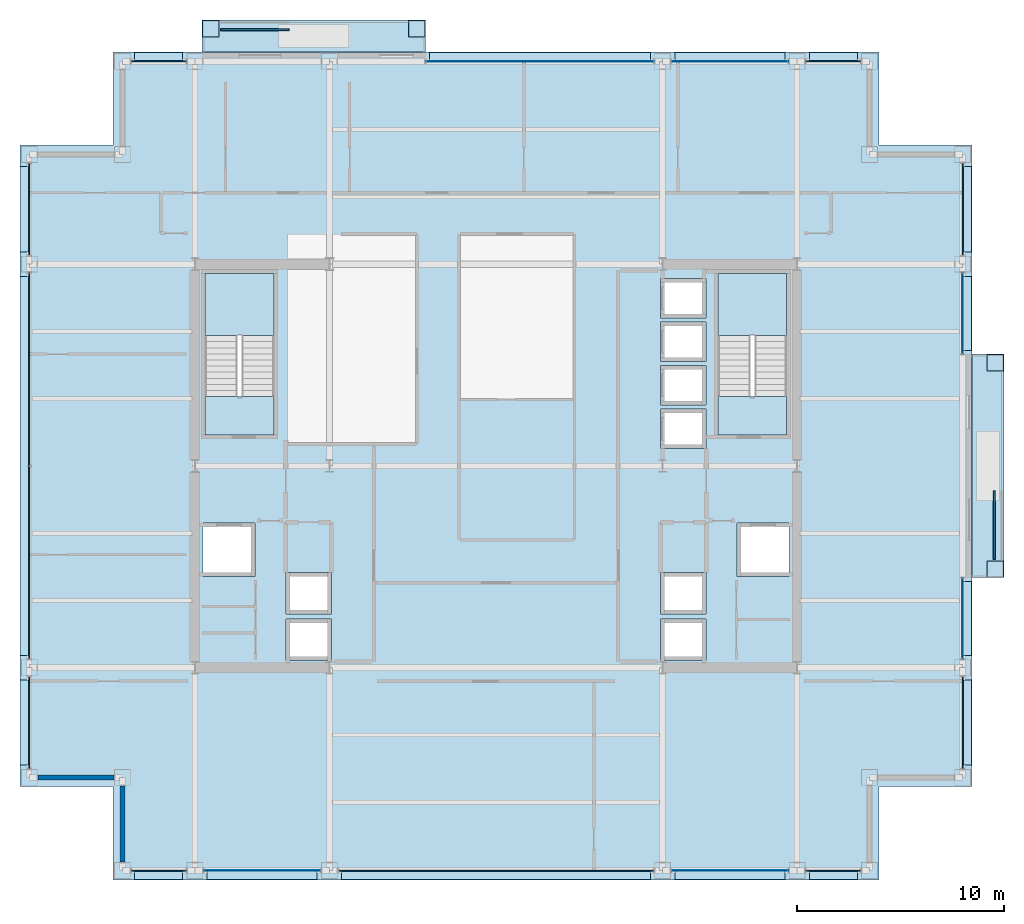
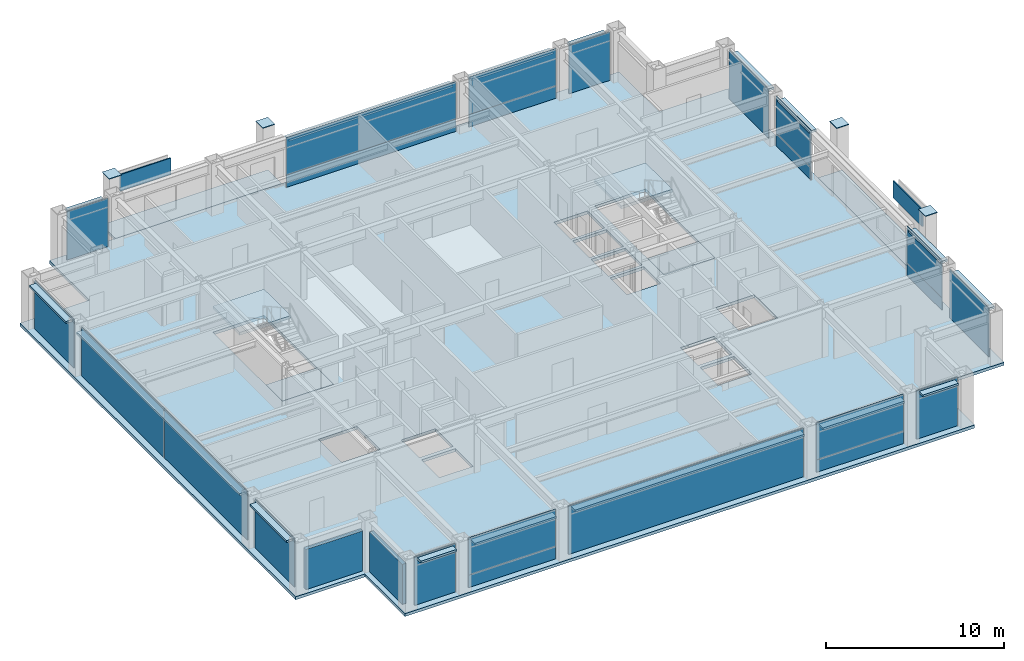
# One storey, part 23 of 29: 45 plates, 7 slabs, 2 walls, 18 elements without a shape of their own.
"""IFC4 building model written with IfcOpenShell, lengths in metres."""

from ifc_helpers import new_model, si_unit, direction, frame, frame_2d, origin, origin_2d, place, context, subcontext, project, spatial, polyline, rectangle, outline, extrude, material, layer, layer_set, type_object, element, aggregate, save


model = new_model("IFC4")

# Units and contexts
model_context = context("Model", 3, precision=1e-05, world=origin(), true_north=direction((0.0, 1.0)))
body_context = subcontext(model_context, "Body", "Model", "MODEL_VIEW")
ifc_project = project(units=[si_unit("LENGTHUNIT", "METRE"), si_unit("AREAUNIT", "SQUARE_METRE"), si_unit("VOLUMEUNIT", "CUBIC_METRE"), si_unit("PLANEANGLEUNIT", "RADIAN"), si_unit("MASSUNIT", "GRAM", prefix="KILO")], contexts=[model_context])

# Site, building, storey
site_placement = place(None, origin())
site = spatial("IfcSite", under=ifc_project, at=site_placement, CompositionType="ELEMENT")
building_placement = place(site_placement, origin())
building = spatial("IfcBuilding", under=site, at=building_placement, Name="Brelmoor Portico Tower", CompositionType="ELEMENT")
storey_placement = place(building_placement, frame((0.0, 0.0, 135.0)))
storey = spatial("IfcBuildingStorey", under=building, at=storey_placement, Name="L35", CompositionType="ELEMENT", Elevation=135.0)

# Plates
ifc_material_1 = material(Name="Steel Q355B", Category="steel")
ifc_layer_1 = layer(ifc_material_1, 0.044921875)
ifc_layer_set_1 = layer_set([ifc_layer_1], Name="Steel Q355B")
plate_type_1 = type_object("IfcPlateType", Name="PT-CAP-650", PredefinedType="SHEET", material=ifc_layer_set_1)
for number, where, z_axis, x_axis, name in (
    (1, (-13.780029296875, 21.1298828125, 3.60009765625), (0.0, 0.0, 1.0), (1.0, 0.0, 0.0), "L35 Proud Picture-Frame Pier PFJ-N1 Welded Head Cap Plate"),
    (2, (-3.820068359375, 21.1298828125, 3.60009765625), (0.0, 0.0, 1.0), (1.0, 0.0, 0.0), "L35 Proud Picture-Frame Pier PFJ-N2 Welded Head Cap Plate"),
    (3, (24.1298828125, -4.97998046875, 3.60009765625), (0.0, 0.0, 1.0), (0.0, 1.0, 0.0), "L35 Proud Picture-Frame Pier PFJ-E1 Welded Head Cap Plate"),
    (4, (24.1298828125, 4.97998046875, 3.60009765625), (0.0, 0.0, 1.0), (0.0, 1.0, 0.0), "L35 Proud Picture-Frame Pier PFJ-E2 Welded Head Cap Plate"),
):
    element("IfcPlate", number, at=place(storey_placement, frame(where, z_axis=z_axis, x_axis=x_axis)), inside=storey, type_object=plate_type_1, Name=name, PredefinedType="SHEET", context=body_context, shape_type="SweptSolid", body=[
        extrude(rectangle(XDim=0.7900390625, YDim=0.7900390625, at=origin_2d()), origin(), (0.0, 0.0, 1.0), 0.0400390625),
    ])

# Curtain wall, plate
ifc_material_2 = material(Name="Anodised Aluminium Alloy 6063-T6", Category="aluminium")
ifc_layer_2 = layer(ifc_material_2, 0.179931640625)
ifc_layer_set_2 = layer_set([ifc_layer_2], Name="Anodised Aluminium Alloy 6063-T6")
curtain_wall_type_1 = type_object("IfcCurtainWallType", Name="CW-TOWER-Z2", PredefinedType="NOTDEFINED", material=ifc_layer_set_2)
curtain_wall_1_placement = place(storey_placement, origin())
curtain_wall_1 = element("IfcCurtainWall", 5, at=curtain_wall_1_placement, inside=storey, type_object=curtain_wall_type_1, Name="L35 Curtain Wall CW-L35-01-2", PredefinedType="NOTDEFINED")
ifc_material_3 = material(Name="Double-Silver Low-E Insulated Glazing", Category="glass")
ifc_layer_3 = layer(ifc_material_3, 0.035888671875)
ifc_layer_set_3 = layer_set([ifc_layer_3], Name="Double-Silver Low-E Insulated Glazing")
plate_type_2 = type_object("IfcPlateType", Name="PT-CW-GLASS", PredefinedType="CURTAIN_PANEL", material=ifc_layer_set_3)
plate_1_placement = place(storey_placement, frame((-11.300048828125, -19.550048828125, 0.85009765625), z_axis=(0.0, 0.0, 1.0), x_axis=(1.0, 0.0, 0.0)))
plate_1 = element("IfcPlate", 6, at=plate_1_placement, type_object=plate_type_2, Name="CW-L35-01-2 Vision Glass Panel 00", PredefinedType="CURTAIN_PANEL", context=body_context, shape_type="SweptSolid", body=[
    extrude(rectangle(XDim=5.64990234375, YDim=0.035888671875, at=origin_2d()), origin(), (0.0, 0.0, 1.0), 2.550048828125),
])

curtain_wall_2_placement = place(storey_placement, origin())
curtain_wall_2 = element("IfcCurtainWall", 7, at=curtain_wall_2_placement, inside=storey, type_object=curtain_wall_type_1, Name="L35 Curtain Wall CW-L35-01-4", PredefinedType="NOTDEFINED")
plate_2_placement = place(storey_placement, frame((11.300048828125, -19.550048828125, 0.85009765625), z_axis=(0.0, 0.0, 1.0), x_axis=(1.0, 0.0, 0.0)))
plate_2 = element("IfcPlate", 8, at=plate_2_placement, type_object=plate_type_2, Name="CW-L35-01-4 Vision Glass Panel 00", PredefinedType="CURTAIN_PANEL", context=body_context, shape_type="SweptSolid", body=[
    extrude(rectangle(XDim=5.64990234375, YDim=0.035888671875, at=origin_2d()), origin(), (0.0, 0.0, 1.0), 2.550048828125),
])

curtain_wall_3_placement = place(storey_placement, origin())
curtain_wall_3 = element("IfcCurtainWall", 9, at=curtain_wall_3_placement, inside=storey, type_object=curtain_wall_type_1, Name="L35 Curtain Wall CW-L35-2R-1", PredefinedType="NOTDEFINED")
plate_3_placement = place(storey_placement, frame((2.1201171875, 19.550048828125, 0.85009765625), z_axis=(0.0, 0.0, 1.0), x_axis=(1.0, 0.0, 0.0)))
plate_3 = element("IfcPlate", 10, at=plate_3_placement, type_object=plate_type_2, Name="CW-L35-2R-1 Vision Glass Panel 00", PredefinedType="CURTAIN_PANEL", context=body_context, shape_type="SweptSolid", body=[
    extrude(rectangle(XDim=11.010009765625, YDim=0.035888671875, at=origin_2d()), origin(), (0.0, 0.0, 1.0), 2.550048828125),
])

curtain_wall_4_placement = place(storey_placement, origin())
curtain_wall_4 = element("IfcCurtainWall", 11, at=curtain_wall_4_placement, inside=storey, type_object=curtain_wall_type_1, Name="L35 Curtain Wall CW-L35-2R-2", PredefinedType="NOTDEFINED")
plate_4_placement = place(storey_placement, frame((11.300048828125, 19.550048828125, 0.85009765625), z_axis=(0.0, 0.0, 1.0), x_axis=(1.0, 0.0, 0.0)))
plate_4 = element("IfcPlate", 12, at=plate_4_placement, type_object=plate_type_2, Name="CW-L35-2R-2 Vision Glass Panel 00", PredefinedType="CURTAIN_PANEL", context=body_context, shape_type="SweptSolid", body=[
    extrude(rectangle(XDim=5.64990234375, YDim=0.035888671875, at=origin_2d()), origin(), (0.0, 0.0, 1.0), 2.550048828125),
])

curtain_wall_5_placement = place(storey_placement, origin())
curtain_wall_5 = element("IfcCurtainWall", 13, at=curtain_wall_5_placement, inside=storey, type_object=curtain_wall_type_1, Name="L35 Curtain Wall CW-L35-4L-2", PredefinedType="NOTDEFINED")
plate_5_placement = place(storey_placement, frame((22.550048828125, -7.3701171875, 0.85009765625), z_axis=(0.0, 0.0, 1.0), x_axis=(0.0, 1.0, 0.0)))
plate_5 = element("IfcPlate", 14, at=plate_5_placement, type_object=plate_type_2, Name="CW-L35-4L-2 Vision Glass Panel 00", PredefinedType="CURTAIN_PANEL", context=body_context, shape_type="SweptSolid", body=[
    extrude(rectangle(XDim=3.909912109375, YDim=0.035888671875, at=origin_2d()), origin(), (0.0, 0.0, 1.0), 2.550048828125),
])

curtain_wall_6_placement = place(storey_placement, origin())
curtain_wall_6 = element("IfcCurtainWall", 15, at=curtain_wall_6_placement, inside=storey, type_object=curtain_wall_type_1, Name="L35 Curtain Wall CW-L35-4R-1", PredefinedType="NOTDEFINED")
plate_6_placement = place(storey_placement, frame((22.550048828125, 7.3701171875, 0.85009765625), z_axis=(0.0, 0.0, 1.0), x_axis=(0.0, 1.0, 0.0)))
plate_6 = element("IfcPlate", 16, at=plate_6_placement, type_object=plate_type_2, Name="CW-L35-4R-1 Vision Glass Panel 00", PredefinedType="CURTAIN_PANEL", context=body_context, shape_type="SweptSolid", body=[
    extrude(rectangle(XDim=3.909912109375, YDim=0.035888671875, at=origin_2d()), origin(), (0.0, 0.0, 1.0), 2.550048828125),
])

ifc_layer_4 = layer(ifc_material_2, 0.179931640625)
ifc_layer_set_4 = layer_set([ifc_layer_4], Name="Anodised Aluminium Alloy 6063-T6")
curtain_wall_type_2 = type_object("IfcCurtainWallType", Name="CW-TOWER-Z2-XB", PredefinedType="NOTDEFINED", material=ifc_layer_set_4)
curtain_wall_7_placement = place(storey_placement, origin())
curtain_wall_7 = element("IfcCurtainWall", 17, at=curtain_wall_7_placement, inside=storey, type_object=curtain_wall_type_2, Name="L35 Curtain Wall CW-L35-01-1", PredefinedType="NOTDEFINED")
ifc_material_4 = material(Name="Pale Champagne Anodised Aluminium Panel", Category="aluminium")
ifc_layer_5 = layer(ifc_material_4, 0.050048828125)
ifc_layer_set_5 = layer_set([ifc_layer_5], Name="Pale Champagne Anodised Aluminium Panel")
plate_type_3 = type_object("IfcPlateType", Name="PT-CW-SPANDREL", PredefinedType="SHEET", material=ifc_layer_set_5)
plate_7_placement = place(storey_placement, frame((-16.300048828125, -19.550048828125, 0.0), z_axis=(0.0, 0.0, 1.0), x_axis=(1.0, 0.0, 0.0)))
plate_7 = element("IfcPlate", 18, at=plate_7_placement, type_object=plate_type_3, Name="CW-L35-01-1 Spandrel Panel 00", PredefinedType="SHEET", context=body_context, shape_type="SweptSolid", body=[
    extrude(rectangle(XDim=2.64990234375, YDim=0.050048828125, at=origin_2d()), origin(), (0.0, 0.0, 1.0), 3.330078125),
])
aggregate(curtain_wall_7, [plate_7])

# Plate
plate_8_placement = place(storey_placement, frame((-11.300048828125, -19.550048828125, 0.0), z_axis=(0.0, 0.0, 1.0), x_axis=(1.0, 0.0, 0.0)))
plate_8 = element("IfcPlate", 19, at=plate_8_placement, type_object=plate_type_3, Name="CW-L35-01-2 Spandrel Panel 00", PredefinedType="SHEET", context=body_context, shape_type="SweptSolid", body=[
    extrude(rectangle(XDim=5.64990234375, YDim=0.050048828125, at=origin_2d()), origin(), (0.0, 0.0, 1.0), 0.85009765625),
])

aggregate(curtain_wall_1, [plate_8, plate_1])

# Curtain wall, plate
curtain_wall_8_placement = place(storey_placement, origin())
curtain_wall_8 = element("IfcCurtainWall", 20, at=curtain_wall_8_placement, inside=storey, type_object=curtain_wall_type_2, Name="L35 Curtain Wall CW-L35-01-3", PredefinedType="NOTDEFINED")
plate_9_placement = place(storey_placement, frame((0.0, -19.550048828125, 0.0), z_axis=(0.0, 0.0, 1.0), x_axis=(1.0, 0.0, 0.0)))
plate_9 = element("IfcPlate", 21, at=plate_9_placement, type_object=plate_type_3, Name="CW-L35-01-3 Spandrel Panel 00", PredefinedType="SHEET", context=body_context, shape_type="SweptSolid", body=[
    extrude(rectangle(XDim=15.25, YDim=0.050048828125, at=origin_2d()), origin(), (0.0, 0.0, 1.0), 3.330078125),
])
aggregate(curtain_wall_8, [plate_9])

# Plate
plate_10_placement = place(storey_placement, frame((11.300048828125, -19.550048828125, 0.0), z_axis=(0.0, 0.0, 1.0), x_axis=(1.0, 0.0, 0.0)))
plate_10 = element("IfcPlate", 22, at=plate_10_placement, type_object=plate_type_3, Name="CW-L35-01-4 Spandrel Panel 00", PredefinedType="SHEET", context=body_context, shape_type="SweptSolid", body=[
    extrude(rectangle(XDim=5.64990234375, YDim=0.050048828125, at=origin_2d()), origin(), (0.0, 0.0, 1.0), 0.85009765625),
])

aggregate(curtain_wall_2, [plate_10, plate_2])

# Curtain wall, plate
curtain_wall_9_placement = place(storey_placement, origin())
curtain_wall_9 = element("IfcCurtainWall", 23, at=curtain_wall_9_placement, inside=storey, type_object=curtain_wall_type_2, Name="L35 Curtain Wall CW-L35-01-5", PredefinedType="NOTDEFINED")
plate_11_placement = place(storey_placement, frame((16.300048828125, -19.550048828125, 0.0), z_axis=(0.0, 0.0, 1.0), x_axis=(1.0, 0.0, 0.0)))
plate_11 = element("IfcPlate", 24, at=plate_11_placement, type_object=plate_type_3, Name="CW-L35-01-5 Spandrel Panel 00", PredefinedType="SHEET", context=body_context, shape_type="SweptSolid", body=[
    extrude(rectangle(XDim=2.64990234375, YDim=0.050048828125, at=origin_2d()), origin(), (0.0, 0.0, 1.0), 3.330078125),
])
aggregate(curtain_wall_9, [plate_11])

curtain_wall_10_placement = place(storey_placement, origin())
curtain_wall_10 = element("IfcCurtainWall", 25, at=curtain_wall_10_placement, inside=storey, type_object=curtain_wall_type_2, Name="L35 Curtain Wall CW-L35-2L", PredefinedType="NOTDEFINED")
plate_12_placement = place(storey_placement, frame((-16.300048828125, 19.550048828125, 0.0), z_axis=(0.0, 0.0, 1.0), x_axis=(1.0, 0.0, 0.0)))
plate_12 = element("IfcPlate", 26, at=plate_12_placement, type_object=plate_type_3, Name="CW-L35-2L Spandrel Panel 00", PredefinedType="SHEET", context=body_context, shape_type="SweptSolid", body=[
    extrude(rectangle(XDim=2.64990234375, YDim=0.050048828125, at=origin_2d()), origin(), (0.0, 0.0, 1.0), 3.330078125),
])
aggregate(curtain_wall_10, [plate_12])

# Plate
plate_13_placement = place(storey_placement, frame((2.1201171875, 19.550048828125, 0.0), z_axis=(0.0, 0.0, 1.0), x_axis=(1.0, 0.0, 0.0)))
plate_13 = element("IfcPlate", 27, at=plate_13_placement, type_object=plate_type_3, Name="CW-L35-2R-1 Spandrel Panel 00", PredefinedType="SHEET", context=body_context, shape_type="SweptSolid", body=[
    extrude(rectangle(XDim=11.010009765625, YDim=0.050048828125, at=origin_2d()), origin(), (0.0, 0.0, 1.0), 0.85009765625),
])

aggregate(curtain_wall_3, [plate_13, plate_3])

plate_14_placement = place(storey_placement, frame((11.300048828125, 19.550048828125, 0.0), z_axis=(0.0, 0.0, 1.0), x_axis=(1.0, 0.0, 0.0)))
plate_14 = element("IfcPlate", 28, at=plate_14_placement, type_object=plate_type_3, Name="CW-L35-2R-2 Spandrel Panel 00", PredefinedType="SHEET", context=body_context, shape_type="SweptSolid", body=[
    extrude(rectangle(XDim=5.64990234375, YDim=0.050048828125, at=origin_2d()), origin(), (0.0, 0.0, 1.0), 0.85009765625),
])

aggregate(curtain_wall_4, [plate_14, plate_4])

# Curtain wall, plate
curtain_wall_11_placement = place(storey_placement, origin())
curtain_wall_11 = element("IfcCurtainWall", 29, at=curtain_wall_11_placement, inside=storey, type_object=curtain_wall_type_2, Name="L35 Curtain Wall CW-L35-2R-3", PredefinedType="NOTDEFINED")
plate_15_placement = place(storey_placement, frame((16.300048828125, 19.550048828125, 0.0), z_axis=(0.0, 0.0, 1.0), x_axis=(1.0, 0.0, 0.0)))
plate_15 = element("IfcPlate", 30, at=plate_15_placement, type_object=plate_type_3, Name="CW-L35-2R-3 Spandrel Panel 00", PredefinedType="SHEET", context=body_context, shape_type="SweptSolid", body=[
    extrude(rectangle(XDim=2.64990234375, YDim=0.050048828125, at=origin_2d()), origin(), (0.0, 0.0, 1.0), 3.330078125),
])
aggregate(curtain_wall_11, [plate_15])

curtain_wall_12_placement = place(storey_placement, origin())
curtain_wall_12 = element("IfcCurtainWall", 31, at=curtain_wall_12_placement, inside=storey, type_object=curtain_wall_type_2, Name="L35 Curtain Wall CW-L35-03-1", PredefinedType="NOTDEFINED")
plate_16_placement = place(storey_placement, frame((-22.550048828125, -12.39990234375, 0.0), z_axis=(0.0, 0.0, 1.0), x_axis=(0.0, 1.0, 0.0)))
plate_16 = element("IfcPlate", 32, at=plate_16_placement, type_object=plate_type_3, Name="CW-L35-03-1 Spandrel Panel 00", PredefinedType="SHEET", context=body_context, shape_type="SweptSolid", body=[
    extrude(rectangle(XDim=4.449951171875, YDim=0.050048828125, at=origin_2d()), origin(), (0.0, 0.0, 1.0), 3.330078125),
])
aggregate(curtain_wall_12, [plate_16])

# Curtain wall, plates
curtain_wall_13_placement = place(storey_placement, origin())
curtain_wall_13 = element("IfcCurtainWall", 33, at=curtain_wall_13_placement, inside=storey, type_object=curtain_wall_type_2, Name="L35 Curtain Wall CW-L35-03-2", PredefinedType="NOTDEFINED")
plate_17_placement = place(storey_placement, frame((-22.550048828125, -4.669921875, 0.0), z_axis=(0.0, 0.0, 1.0), x_axis=(0.0, 1.0, 0.0)))
plate_17 = element("IfcPlate", 34, at=plate_17_placement, type_object=plate_type_3, Name="CW-L35-03-2 Spandrel Panel 00", PredefinedType="SHEET", context=body_context, shape_type="SweptSolid", body=[
    extrude(rectangle(XDim=9.31005859375, YDim=0.050048828125, at=origin_2d()), origin(), (0.0, 0.0, 1.0), 3.330078125),
])
plate_18_placement = place(storey_placement, frame((-22.550048828125, 4.669921875, 0.0), z_axis=(0.0, 0.0, 1.0), x_axis=(0.0, 1.0, 0.0)))
plate_18 = element("IfcPlate", 35, at=plate_18_placement, type_object=plate_type_3, Name="CW-L35-03-2 Spandrel Panel 01", PredefinedType="SHEET", context=body_context, shape_type="SweptSolid", body=[
    extrude(rectangle(XDim=9.31005859375, YDim=0.050048828125, at=origin_2d()), origin(), (0.0, 0.0, 1.0), 3.330078125),
])
aggregate(curtain_wall_13, [plate_17, plate_18])

# Curtain wall, plate
curtain_wall_14_placement = place(storey_placement, origin())
curtain_wall_14 = element("IfcCurtainWall", 36, at=curtain_wall_14_placement, inside=storey, type_object=curtain_wall_type_2, Name="L35 Curtain Wall CW-L35-03-3", PredefinedType="NOTDEFINED")
plate_19_placement = place(storey_placement, frame((-22.550048828125, 12.39990234375, 0.0), z_axis=(0.0, 0.0, 1.0), x_axis=(0.0, 1.0, 0.0)))
plate_19 = element("IfcPlate", 37, at=plate_19_placement, type_object=plate_type_3, Name="CW-L35-03-3 Spandrel Panel 00", PredefinedType="SHEET", context=body_context, shape_type="SweptSolid", body=[
    extrude(rectangle(XDim=4.449951171875, YDim=0.050048828125, at=origin_2d()), origin(), (0.0, 0.0, 1.0), 3.330078125),
])
aggregate(curtain_wall_14, [plate_19])

curtain_wall_15_placement = place(storey_placement, origin())
curtain_wall_15 = element("IfcCurtainWall", 38, at=curtain_wall_15_placement, inside=storey, type_object=curtain_wall_type_2, Name="L35 Curtain Wall CW-L35-4L-1", PredefinedType="NOTDEFINED")
plate_20_placement = place(storey_placement, frame((22.550048828125, -12.39990234375, 0.0), z_axis=(0.0, 0.0, 1.0), x_axis=(0.0, 1.0, 0.0)))
plate_20 = element("IfcPlate", 39, at=plate_20_placement, type_object=plate_type_3, Name="CW-L35-4L-1 Spandrel Panel 00", PredefinedType="SHEET", context=body_context, shape_type="SweptSolid", body=[
    extrude(rectangle(XDim=4.449951171875, YDim=0.050048828125, at=origin_2d()), origin(), (0.0, 0.0, 1.0), 3.330078125),
])
aggregate(curtain_wall_15, [plate_20])

# Plate
plate_21_placement = place(storey_placement, frame((22.550048828125, -7.3701171875, 0.0), z_axis=(0.0, 0.0, 1.0), x_axis=(0.0, 1.0, 0.0)))
plate_21 = element("IfcPlate", 40, at=plate_21_placement, type_object=plate_type_3, Name="CW-L35-4L-2 Spandrel Panel 00", PredefinedType="SHEET", context=body_context, shape_type="SweptSolid", body=[
    extrude(rectangle(XDim=3.909912109375, YDim=0.050048828125, at=origin_2d()), origin(), (0.0, 0.0, 1.0), 0.85009765625),
])

aggregate(curtain_wall_5, [plate_21, plate_5])

plate_22_placement = place(storey_placement, frame((22.550048828125, 7.3701171875, 0.0), z_axis=(0.0, 0.0, 1.0), x_axis=(0.0, 1.0, 0.0)))
plate_22 = element("IfcPlate", 41, at=plate_22_placement, type_object=plate_type_3, Name="CW-L35-4R-1 Spandrel Panel 00", PredefinedType="SHEET", context=body_context, shape_type="SweptSolid", body=[
    extrude(rectangle(XDim=3.909912109375, YDim=0.050048828125, at=origin_2d()), origin(), (0.0, 0.0, 1.0), 0.85009765625),
])

aggregate(curtain_wall_6, [plate_22, plate_6])

# Curtain wall, plate
curtain_wall_16_placement = place(storey_placement, origin())
curtain_wall_16 = element("IfcCurtainWall", 42, at=curtain_wall_16_placement, inside=storey, type_object=curtain_wall_type_2, Name="L35 Curtain Wall CW-L35-4R-2", PredefinedType="NOTDEFINED")
plate_23_placement = place(storey_placement, frame((22.550048828125, 12.39990234375, 0.0), z_axis=(0.0, 0.0, 1.0), x_axis=(0.0, 1.0, 0.0)))
plate_23 = element("IfcPlate", 43, at=plate_23_placement, type_object=plate_type_3, Name="CW-L35-4R-2 Spandrel Panel 00", PredefinedType="SHEET", context=body_context, shape_type="SweptSolid", body=[
    extrude(rectangle(XDim=4.449951171875, YDim=0.050048828125, at=origin_2d()), origin(), (0.0, 0.0, 1.0), 3.330078125),
])
aggregate(curtain_wall_16, [plate_23])

# Plates
ifc_material_5 = material(Name="Powder-Coated Aluminium Shuttered Jalousie Louvre", Category="aluminium")
ifc_layer_6 = layer(ifc_material_5, 0.06005859375)
ifc_layer_set_6 = layer_set([ifc_layer_6], Name="Powder-Coated Aluminium Shuttered Jalousie Louvre")
plate_type_4 = type_object("IfcPlateType", Name="PT-JALOUSIE-SHUTTER", PredefinedType="SHEET", material=ifc_layer_set_6)
for number, where, z_axis, x_axis, name in (
    (44, (-11.64990234375, 21.080078125, 2.275146484375), (0.0, 0.0, 1.0), (1.0, 0.0, 0.0), "L35 Shuttered Veranda Screen N"),
    (45, (24.080078125, -2.85009765625, 2.275146484375), (0.0, 0.0, 1.0), (0.0, 1.0, 0.0), "L35 Shuttered Veranda Screen E"),
):
    element("IfcPlate", number, at=place(storey_placement, frame(where, z_axis=z_axis, x_axis=x_axis)), inside=storey, type_object=plate_type_4, Name=name, PredefinedType="SHEET", context=body_context, shape_type="SweptSolid", body=[
        extrude(rectangle(XDim=3.300048828125, YDim=0.080078125, at=origin_2d()), origin(), (0.0, 0.0, 1.0), 1.14990234375),
    ])
ifc_material_6 = material(Name="Pale Champagne Perforated Aluminium Solar Screen", Category="aluminium")
ifc_layer_7 = layer(ifc_material_6, 0.054931640625)
ifc_layer_set_7 = layer_set([ifc_layer_7], Name="Pale Champagne Perforated Aluminium Solar Screen")
plate_type_5 = type_object("IfcPlateType", Name="PT-SOLAR-LOUVRE", PredefinedType="SHEET", material=ifc_layer_set_7)
plate_24_placement = place(storey_placement, frame((-16.300048828125, -19.760009765625, 3.08984375), z_axis=(0.0, 0.0, 1.0), x_axis=(1.0, 0.0, 0.0)))
element("IfcPlate", 46, at=plate_24_placement, inside=storey, type_object=plate_type_5, Name="CW-L35-01-1 Caribbean Brise-Soleil Solar Screen", PredefinedType="SHEET", context=body_context, shape_type="SweptSolid", body=[
    extrude(rectangle(XDim=2.320068359375, YDim=0.4599609375, at=origin_2d()), origin(), (0.0, 0.0, 1.0), 0.139892578125),
])
plate_25_placement = place(storey_placement, frame((-11.300048828125, -19.760009765625, 3.08984375), z_axis=(0.0, 0.0, 1.0), x_axis=(1.0, 0.0, 0.0)))
element("IfcPlate", 47, at=plate_25_placement, inside=storey, type_object=plate_type_5, Name="CW-L35-01-2 Caribbean Brise-Soleil Solar Screen", PredefinedType="SHEET", context=body_context, shape_type="SweptSolid", body=[
    extrude(rectangle(XDim=5.320068359375, YDim=0.4599609375, at=origin_2d()), origin(), (0.0, 0.0, 1.0), 0.139892578125),
])
plate_26_placement = place(storey_placement, frame((0.0, -19.760009765625, 3.08984375), z_axis=(0.0, 0.0, 1.0), x_axis=(1.0, 0.0, 0.0)))
element("IfcPlate", 48, at=plate_26_placement, inside=storey, type_object=plate_type_5, Name="CW-L35-01-3 Caribbean Brise-Soleil Solar Screen", PredefinedType="SHEET", context=body_context, shape_type="SweptSolid", body=[
    extrude(rectangle(XDim=14.919921875, YDim=0.4599609375, at=origin_2d()), origin(), (0.0, 0.0, 1.0), 0.139892578125),
])
plate_27_placement = place(storey_placement, frame((11.300048828125, -19.760009765625, 3.08984375), z_axis=(0.0, 0.0, 1.0), x_axis=(1.0, 0.0, 0.0)))
element("IfcPlate", 49, at=plate_27_placement, inside=storey, type_object=plate_type_5, Name="CW-L35-01-4 Caribbean Brise-Soleil Solar Screen", PredefinedType="SHEET", context=body_context, shape_type="SweptSolid", body=[
    extrude(rectangle(XDim=5.320068359375, YDim=0.4599609375, at=origin_2d()), origin(), (0.0, 0.0, 1.0), 0.139892578125),
])
for number, where, z_axis, x_axis, name in (
    (50, (16.300048828125, -19.760009765625, 3.08984375), (0.0, 0.0, 1.0), (1.0, 0.0, 0.0), "CW-L35-01-5 Caribbean Brise-Soleil Solar Screen"),
    (51, (-16.300048828125, 19.760009765625, 3.08984375), (0.0, 0.0, 1.0), (1.0, 0.0, 0.0), "CW-L35-2L Caribbean Brise-Soleil Solar Screen"),
):
    element("IfcPlate", number, at=place(storey_placement, frame(where, z_axis=z_axis, x_axis=x_axis)), inside=storey, type_object=plate_type_5, Name=name, PredefinedType="SHEET", context=body_context, shape_type="SweptSolid", body=[
        extrude(rectangle(XDim=2.320068359375, YDim=0.4599609375, at=origin_2d()), origin(), (0.0, 0.0, 1.0), 0.139892578125),
    ])
plate_28_placement = place(storey_placement, frame((2.1201171875, 19.760009765625, 3.08984375), z_axis=(0.0, 0.0, 1.0), x_axis=(1.0, 0.0, 0.0)))
element("IfcPlate", 52, at=plate_28_placement, inside=storey, type_object=plate_type_5, Name="CW-L35-2R-1 Caribbean Brise-Soleil Solar Screen", PredefinedType="SHEET", context=body_context, shape_type="SweptSolid", body=[
    extrude(rectangle(XDim=10.679931640625, YDim=0.4599609375, at=origin_2d()), origin(), (0.0, 0.0, 1.0), 0.139892578125),
])
plate_29_placement = place(storey_placement, frame((11.300048828125, 19.760009765625, 3.08984375), z_axis=(0.0, 0.0, 1.0), x_axis=(1.0, 0.0, 0.0)))
element("IfcPlate", 53, at=plate_29_placement, inside=storey, type_object=plate_type_5, Name="CW-L35-2R-2 Caribbean Brise-Soleil Solar Screen", PredefinedType="SHEET", context=body_context, shape_type="SweptSolid", body=[
    extrude(rectangle(XDim=5.320068359375, YDim=0.4599609375, at=origin_2d()), origin(), (0.0, 0.0, 1.0), 0.139892578125),
])
plate_30_placement = place(storey_placement, frame((16.300048828125, 19.760009765625, 3.08984375), z_axis=(0.0, 0.0, 1.0), x_axis=(1.0, 0.0, 0.0)))
element("IfcPlate", 54, at=plate_30_placement, inside=storey, type_object=plate_type_5, Name="CW-L35-2R-3 Caribbean Brise-Soleil Solar Screen", PredefinedType="SHEET", context=body_context, shape_type="SweptSolid", body=[
    extrude(rectangle(XDim=2.320068359375, YDim=0.4599609375, at=origin_2d()), origin(), (0.0, 0.0, 1.0), 0.139892578125),
])
plate_31_placement = place(storey_placement, frame((-22.760009765625, -12.39990234375, 3.08984375), z_axis=(0.0, 0.0, 1.0), x_axis=(0.0, 1.0, 0.0)))
element("IfcPlate", 55, at=plate_31_placement, inside=storey, type_object=plate_type_5, Name="CW-L35-03-1 Caribbean Brise-Soleil Solar Screen", PredefinedType="SHEET", context=body_context, shape_type="SweptSolid", body=[
    extrude(rectangle(XDim=4.1201171875, YDim=0.4599609375, at=origin_2d()), origin(), (0.0, 0.0, 1.0), 0.139892578125),
])
plate_32_placement = place(storey_placement, frame((-22.760009765625, 0.0, 3.08984375), z_axis=(0.0, 0.0, 1.0), x_axis=(0.0, 1.0, 0.0)))
element("IfcPlate", 56, at=plate_32_placement, inside=storey, type_object=plate_type_5, Name="CW-L35-03-2 Caribbean Brise-Soleil Solar Screen", PredefinedType="SHEET", context=body_context, shape_type="SweptSolid", body=[
    extrude(rectangle(XDim=18.320068359375, YDim=0.4599609375, at=origin_2d()), origin(), (0.0, 0.0, 1.0), 0.139892578125),
])
for number, where, z_axis, x_axis, name in (
    (57, (-22.760009765625, 12.39990234375, 3.08984375), (0.0, 0.0, 1.0), (0.0, 1.0, 0.0), "CW-L35-03-3 Caribbean Brise-Soleil Solar Screen"),
    (58, (22.760009765625, -12.39990234375, 3.08984375), (0.0, 0.0, 1.0), (0.0, 1.0, 0.0), "CW-L35-4L-1 Caribbean Brise-Soleil Solar Screen"),
):
    element("IfcPlate", number, at=place(storey_placement, frame(where, z_axis=z_axis, x_axis=x_axis)), inside=storey, type_object=plate_type_5, Name=name, PredefinedType="SHEET", context=body_context, shape_type="SweptSolid", body=[
        extrude(rectangle(XDim=4.1201171875, YDim=0.4599609375, at=origin_2d()), origin(), (0.0, 0.0, 1.0), 0.139892578125),
    ])
for number, where, z_axis, x_axis, name in (
    (59, (22.760009765625, -7.3701171875, 3.08984375), (0.0, 0.0, 1.0), (0.0, 1.0, 0.0), "CW-L35-4L-2 Caribbean Brise-Soleil Solar Screen"),
    (60, (22.760009765625, 7.3701171875, 3.08984375), (0.0, 0.0, 1.0), (0.0, 1.0, 0.0), "CW-L35-4R-1 Caribbean Brise-Soleil Solar Screen"),
):
    element("IfcPlate", number, at=place(storey_placement, frame(where, z_axis=z_axis, x_axis=x_axis)), inside=storey, type_object=plate_type_5, Name=name, PredefinedType="SHEET", context=body_context, shape_type="SweptSolid", body=[
        extrude(rectangle(XDim=3.580078125, YDim=0.4599609375, at=origin_2d()), origin(), (0.0, 0.0, 1.0), 0.139892578125),
    ])
plate_33_placement = place(storey_placement, frame((22.760009765625, 12.39990234375, 3.08984375), z_axis=(0.0, 0.0, 1.0), x_axis=(0.0, 1.0, 0.0)))
element("IfcPlate", 61, at=plate_33_placement, inside=storey, type_object=plate_type_5, Name="CW-L35-4R-2 Caribbean Brise-Soleil Solar Screen", PredefinedType="SHEET", context=body_context, shape_type="SweptSolid", body=[
    extrude(rectangle(XDim=4.1201171875, YDim=0.4599609375, at=origin_2d()), origin(), (0.0, 0.0, 1.0), 0.139892578125),
])

# Slabs
ifc_material_7 = material(Name="Concrete C40", Category="concrete")
ifc_layer_8 = layer(ifc_material_7, 0.199951171875)
ifc_layer_set_8 = layer_set([ifc_layer_8], Name="Concrete C40")
slab_type_1 = type_object("IfcSlabType", Name="SL-BALCONY-200", PredefinedType="FLOOR", material=ifc_layer_set_8)
slab_1_placement = place(storey_placement, frame((0.0, 0.0, -0.199951171875)))
element("IfcSlab", 62, at=slab_1_placement, inside=storey, type_object=slab_type_1, Name="L35 Loggia Tree Balcony Slab N", PredefinedType="FLOOR", context=body_context, shape_type="SweptSolid", body=[
    extrude(outline(polyline([(-14.199951171875, 20.0), (-3.39990234375, 20.0), (-3.39990234375, 21.550048828125), (-14.199951171875, 21.550048828125), (-14.199951171875, 20.0)])), origin(), (0.0, 0.0, 1.0), 0.199951171875),
])
slab_2_placement = place(storey_placement, frame((0.0, 0.0, -0.199951171875)))
element("IfcSlab", 63, at=slab_2_placement, inside=storey, type_object=slab_type_1, Name="L35 Loggia Tree Balcony Slab E", PredefinedType="FLOOR", context=body_context, shape_type="SweptSolid", body=[
    extrude(outline(polyline([(23.0, -5.39990234375), (24.550048828125, -5.39990234375), (24.550048828125, 5.39990234375), (23.0, 5.39990234375), (23.0, -5.39990234375)])), origin(), (0.0, 0.0, 1.0), 0.199951171875),
])
ifc_layer_9 = layer(ifc_material_7, 0.199951171875)
ifc_layer_set_9 = layer_set([ifc_layer_9], Name="Concrete C40")
slab_type_2 = type_object("IfcSlabType", Name="SL-FLOOR-200", PredefinedType="FLOOR", material=ifc_layer_set_9)
slab_3_placement = place(storey_placement, frame((0.0, 0.0, -0.199951171875)))
element("IfcSlab", 64, at=slab_3_placement, inside=storey, type_object=slab_type_2, Name="L35 Main Structural Floor Slab", PredefinedType="FLOOR", context=body_context, shape_type="SweptSolid", body=[
    extrude(outline(polyline([(-18.5, -20.0), (18.5, -20.0), (18.5, -15.5), (23.0, -15.5), (23.0, 15.5), (18.5, 15.5), (18.5, 20.0), (-18.5, 20.0), (-18.5, 15.5), (-23.0, 15.5), (-23.0, -15.5), (-18.5, -15.5), (-18.5, -20.0)]), holes=[polyline([(-10.72998046875, 1.5), (-10.72998046875, 9.300048828125), (-14.050048828125, 9.300048828125), (-14.050048828125, 1.5), (-10.72998046875, 1.5)]), polyline([(14.050048828125, 1.5), (14.050048828125, 9.300048828125), (10.72998046875, 9.300048828125), (10.72998046875, 1.5), (14.050048828125, 1.5)]), polyline([(7.949951171875, 0.85009765625), (10.14990234375, 0.85009765625), (10.14990234375, 2.75), (7.949951171875, 2.75), (7.949951171875, 0.85009765625)]), polyline([(7.949951171875, 2.949951171875), (10.14990234375, 2.949951171875), (10.14990234375, 4.85009765625), (7.949951171875, 4.85009765625), (7.949951171875, 2.949951171875)]), polyline([(7.949951171875, 5.050048828125), (10.14990234375, 5.050048828125), (10.14990234375, 6.949951171875), (7.949951171875, 6.949951171875), (7.949951171875, 5.050048828125)]), polyline([(7.949951171875, 7.14990234375), (10.14990234375, 7.14990234375), (10.14990234375, 9.050048828125), (7.949951171875, 9.050048828125), (7.949951171875, 7.14990234375)]), polyline([(-10.14990234375, -9.39990234375), (-7.949951171875, -9.39990234375), (-7.949951171875, -7.39990234375), (-10.14990234375, -7.39990234375), (-10.14990234375, -9.39990234375)]), polyline([(-10.14990234375, -7.14990234375), (-7.949951171875, -7.14990234375), (-7.949951171875, -5.14990234375), (-10.14990234375, -5.14990234375), (-10.14990234375, -7.14990234375)]), polyline([(7.949951171875, -9.39990234375), (10.14990234375, -9.39990234375), (10.14990234375, -7.39990234375), (7.949951171875, -7.39990234375), (7.949951171875, -9.39990234375)]), polyline([(7.949951171875, -7.14990234375), (10.14990234375, -7.14990234375), (10.14990234375, -5.14990234375), (7.949951171875, -5.14990234375), (7.949951171875, -7.14990234375)]), polyline([(-14.14990234375, -5.35009765625), (-11.64990234375, -5.35009765625), (-11.64990234375, -2.75), (-14.14990234375, -2.75), (-14.14990234375, -5.35009765625)]), polyline([(11.64990234375, -5.35009765625), (14.14990234375, -5.35009765625), (14.14990234375, -2.75), (11.64990234375, -2.75), (11.64990234375, -5.35009765625)])]), origin(), (0.0, 0.0, 1.0), 0.199951171875),
])

# Stair, slab
stair_type_1 = type_object("IfcStairType", Name="ST-CORE-W", PredefinedType="HALF_TURN_STAIR", material=ifc_material_7)
stair_1_placement = place(storey_placement, origin())
stair_1 = element("IfcStair", 65, at=stair_1_placement, inside=storey, type_object=stair_type_1, Name="L35 Protected Core Exit Stair ST-W", PredefinedType="HALF_TURN_STAIR")
ifc_layer_10 = layer(ifc_material_7, 0.179931640625)
ifc_layer_set_10 = layer_set([ifc_layer_10], Name="Concrete C40")
slab_type_3 = type_object("IfcSlabType", Name="SL-LANDING-180", PredefinedType="LANDING", material=ifc_layer_set_10)
slab_4_placement = place(storey_placement, frame((0.0, 0.0, 1.60009765625)))
slab_4 = element("IfcSlab", 66, at=slab_4_placement, type_object=slab_type_3, Name="ST-W landing 1", PredefinedType="LANDING", context=body_context, shape_type="SweptSolid", body=[
    extrude(outline(polyline([(-10.72998046875, 6.300048828125), (-10.72998046875, 9.300048828125), (-14.050048828125, 9.300048828125), (-14.050048828125, 6.300048828125), (-10.72998046875, 6.300048828125)])), origin(), (0.0, 0.0, 1.0), 0.199951171875),
])
aggregate(stair_1, [slab_4])

stair_type_2 = type_object("IfcStairType", Name="ST-CORE-E", PredefinedType="HALF_TURN_STAIR", material=ifc_material_7)
stair_2_placement = place(storey_placement, origin())
stair_2 = element("IfcStair", 67, at=stair_2_placement, inside=storey, type_object=stair_type_2, Name="L35 Protected Core Exit Stair ST-E", PredefinedType="HALF_TURN_STAIR")
slab_5_placement = place(storey_placement, frame((0.0, 0.0, 1.60009765625)))
slab_5 = element("IfcSlab", 68, at=slab_5_placement, type_object=slab_type_3, Name="ST-E landing 1", PredefinedType="LANDING", context=body_context, shape_type="SweptSolid", body=[
    extrude(outline(polyline([(14.050048828125, 6.300048828125), (14.050048828125, 9.300048828125), (10.72998046875, 9.300048828125), (10.72998046875, 6.300048828125), (14.050048828125, 6.300048828125)])), origin(), (0.0, 0.0, 1.0), 0.199951171875),
])
aggregate(stair_2, [slab_5])

# Slabs
ifc_layer_11 = layer(ifc_material_7, 0.199951171875)
ifc_layer_set_11 = layer_set([ifc_layer_11], Name="Concrete C40")
slab_type_4 = type_object("IfcSlabType", Name="SL-STAIR-FL200", PredefinedType="LANDING", material=ifc_layer_set_11)
slab_6_placement = place(storey_placement, frame((0.0, 0.0, -0.199951171875)))
element("IfcSlab", 69, at=slab_6_placement, inside=storey, type_object=slab_type_4, Name="L35 ST-W Structural Floor Landing Slab", PredefinedType="LANDING", context=body_context, shape_type="SweptSolid", body=[
    extrude(outline(polyline([(-10.72998046875, 1.5), (-10.72998046875, 3.35009765625), (-14.050048828125, 3.35009765625), (-14.050048828125, 1.5), (-10.72998046875, 1.5)])), origin(), (0.0, 0.0, 1.0), 0.199951171875),
])
slab_7_placement = place(storey_placement, frame((0.0, 0.0, -0.199951171875)))
element("IfcSlab", 70, at=slab_7_placement, inside=storey, type_object=slab_type_4, Name="L35 ST-E Structural Floor Landing Slab", PredefinedType="LANDING", context=body_context, shape_type="SweptSolid", body=[
    extrude(outline(polyline([(14.050048828125, 1.5), (14.050048828125, 3.35009765625), (10.72998046875, 3.35009765625), (10.72998046875, 1.5), (14.050048828125, 1.5)])), origin(), (0.0, 0.0, 1.0), 0.199951171875),
])

# Walls
ifc_material_8 = material(Name="Precast Concrete C40 Insulated Facade Wall", Category="concrete")
ifc_layer_12 = layer(ifc_material_8, 0.25)
ifc_layer_set_12 = layer_set([ifc_layer_12], Name="Precast Concrete C40 Insulated Facade Wall")
wall_type = type_object("IfcWallType", Name="WL-EXT-250", PredefinedType="STANDARD", material=ifc_layer_set_12)
for number, where, z_axis, x_axis, name in (
    (71, (-22.139892578125, -15.050048828125, 0.0), (0.0, 0.0, 1.0), (1.0, 0.0, 0.0), "L35 Corner Notch Facade Wall NSWH1"),
    (72, (-18.050048828125, -19.139892578125, 0.0), (0.0, 0.0, 1.0), (0.0, 1.0, 0.0), "L35 Corner Notch Facade Wall NSWV1"),
):
    element("IfcWall", number, at=place(storey_placement, frame(where, z_axis=z_axis, x_axis=x_axis)), inside=storey, type_object=wall_type, Name=name, PredefinedType="STANDARD", context=body_context, shape_type="SweptSolid", body=[
        extrude(rectangle(XDim=3.679931640625, YDim=0.25, at=frame_2d((1.83984375, 0.0))), origin(), (0.0, 0.0, 1.0), 2.75),
    ])

save(model, "model.ifc")
